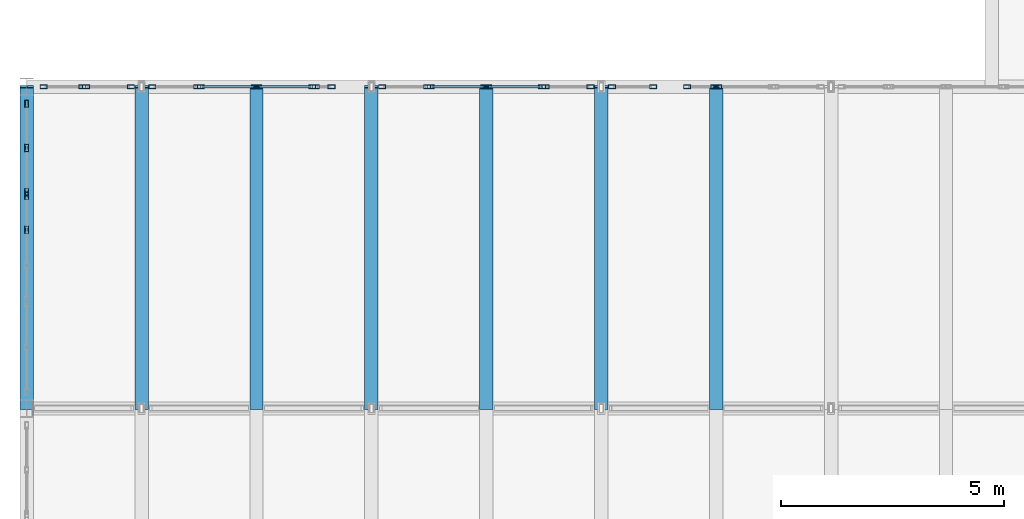
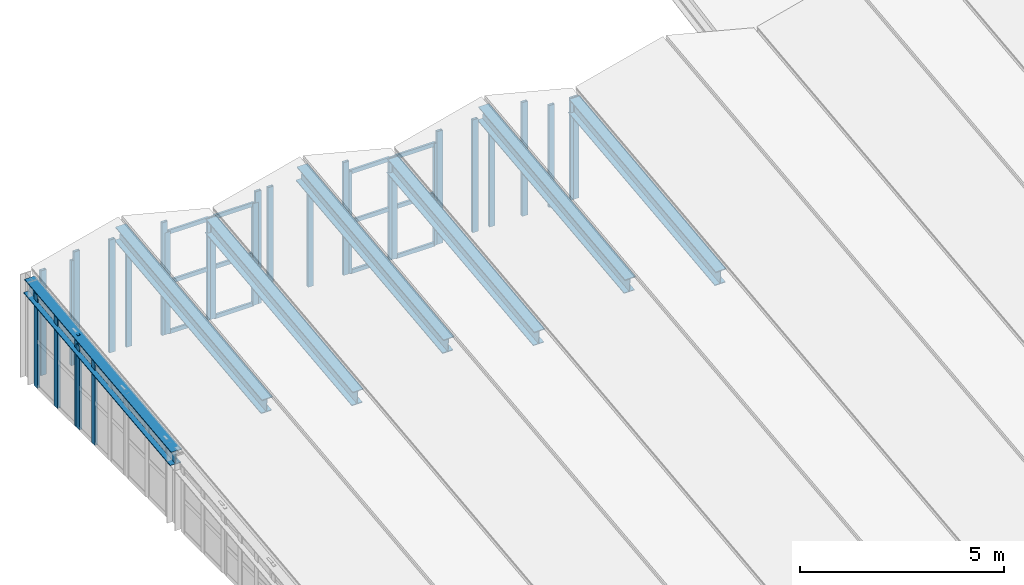
# One storey, part 5 of 39: 42 members, 7 beams, 15 elements without a shape of their own.
"""IFC4 building model written with IfcOpenShell, lengths in metres."""

from ifc_helpers import new_model, si_unit, direction, frame, origin, origin_2d, place, context, subcontext, project, spatial, hollow_rectangle, i_section, extrude, material, layer, layer_set, material_profile, profile_set, type_object, element, aggregate, save


model = new_model("IFC4")

# Units and contexts
model_context = context("Model", 3, precision=1e-05, world=origin(), true_north=direction((0.0, 1.0)))
body_context = subcontext(model_context, "Body", "Model", "MODEL_VIEW")
ifc_project = project(units=[si_unit("LENGTHUNIT", "METRE"), si_unit("AREAUNIT", "SQUARE_METRE"), si_unit("VOLUMEUNIT", "CUBIC_METRE"), si_unit("PLANEANGLEUNIT", "RADIAN"), si_unit("MASSUNIT", "GRAM", prefix="KILO"), si_unit("THERMODYNAMICTEMPERATUREUNIT", "KELVIN"), si_unit("POWERUNIT", "WATT")], contexts=[model_context])

# Site, building, storey
site_placement = place(None, origin())
site = spatial("IfcSite", under=ifc_project, at=site_placement, CompositionType="ELEMENT")
building_placement = place(site_placement, origin())
building = spatial("IfcBuilding", under=site, at=building_placement, Name="Kaldorven Railside Theatre", CompositionType="ELEMENT")
storey_placement = place(building_placement, frame((0.0, 0.0, 27.300048828125)))
storey = spatial("IfcBuildingStorey", under=building, at=storey_placement, Name="ROOF", CompositionType="ELEMENT", Elevation=27.300048828125)

# Beams
ifc_material_1 = material(Name="Steel S355", Category="steel")
ifc_material_profile_1 = material_profile(ifc_material_1, i_section(OverallWidth=0.300048828125, OverallDepth=0.449951171875, WebThickness=0.013916015625, FlangeThickness=0.02587890625, at=origin_2d()), Name="HEB 450")
ifc_profile_set_1 = profile_set([ifc_material_profile_1], Name="Steel S355")
beam_type = type_object("IfcBeamType", Name="BM-HEB450", PredefinedType="BEAM", material=ifc_profile_set_1)
for number, where, z_axis, x_axis, name in (
    (1, (87.199951171875, 105.60009765625, 2.025146484375), (0.0, 0.993579716392, 0.113134199846), (-1.0, 0.0, 0.0), "V2 Folded-Plate Valley Girder VB-102"),
    (2, (89.771484375, 105.60009765625, 2.68994140625), (0.0, 0.993575928723, 0.11316745938), (-1.0, 0.0, 0.0), "V2 Folded-Plate Ridge Girder RB-106"),
    (3, (92.343017578125, 105.60009765625, 2.025146484375), (0.0, 0.993579716392, 0.113134199846), (-1.0, 0.0, 0.0), "V2 Folded-Plate Valley Girder VB-110"),
    (4, (94.914306640625, 105.60009765625, 2.68994140625), (0.0, 0.993575928723, 0.11316745938), (-1.0, 0.0, 0.0), "V2 Folded-Plate Ridge Girder RB-114"),
    (5, (97.485595703125, 105.60009765625, 2.025146484375), (0.0, 0.993579716392, 0.113134199846), (-1.0, 0.0, 0.0), "V2 Folded-Plate Valley Girder VB-118"),
    (6, (100.05712890625, 105.60009765625, 2.68994140625), (0.0, 0.993575928723, 0.11316745938), (-1.0, 0.0, 0.0), "V2 Folded-Plate Ridge Girder RB-122"),
    (7, (102.628662109375, 105.60009765625, 2.025146484375), (0.0, 0.993579716392, 0.113134199846), (-1.0, 0.0, 0.0), "V2 Folded-Plate Valley Girder VB-126"),
):
    element("IfcBeam", number, at=place(storey_placement, frame(where, z_axis=z_axis, x_axis=x_axis)), inside=storey, type_object=beam_type, Name=name, PredefinedType="BEAM", context=body_context, shape_type="SweptSolid", body=[
        extrude(i_section(OverallWidth=0.300048828125, OverallDepth=0.449951171875, WebThickness=0.013916015625, FlangeThickness=0.02587890625, at=origin_2d()), origin(), (0.0, 0.0, 1.0), 7.24658203125),
    ])

# Curtain wall, members
ifc_material_2 = material(Name="Low-E laminated solar-control glass", Category="glass")
ifc_layer_1 = layer(ifc_material_2, 0.159912109375, Name="Low-E laminated solar-control glass")
ifc_layer_set_1 = layer_set([ifc_layer_1], Name="Low-E laminated solar-control glass")
curtain_wall_type_1 = type_object("IfcCurtainWallType", Name="CWT-47", PredefinedType="USERDEFINED", material=ifc_layer_set_1)
curtain_wall_1_placement = place(storey_placement, origin())
curtain_wall_1 = element("IfcCurtainWall", 8, at=curtain_wall_1_placement, inside=storey, type_object=curtain_wall_type_1, Name="Fly-Tower North Crown Clerestory CWG-063", ObjectType="FLUTED GLAZING", PredefinedType="USERDEFINED")
ifc_material_3 = material(Name="Anodised bronze aluminium", Category="aluminium")
ifc_material_profile_2 = material_profile(ifc_material_3, hollow_rectangle(XDim=0.080078125, YDim=0.159912109375, WallThickness=0.00634765625, at=origin_2d()), Name="RHS 160x80x6.3")
ifc_profile_set_2 = profile_set([ifc_material_profile_2], Name="Anodised bronze aluminium")
member_type_1 = type_object("IfcMemberType", Name="CWM-160", PredefinedType="MULLION", material=ifc_profile_set_2)
member_1_placement = place(storey_placement, frame((87.580078125, 112.800048828125, 0.02001953125), z_axis=(0.0, 0.0, 1.0), x_axis=(0.0, 1.0, 0.0)))
member_1 = element("IfcMember", 9, at=member_1_placement, type_object=member_type_1, Name="CWG-063 mullion 1", PredefinedType="MULLION", context=body_context, shape_type="SweptSolid", body=[
    extrude(hollow_rectangle(XDim=0.080078125, YDim=0.159912109375, WallThickness=0.00634765625, at=origin_2d()), origin(), (0.0, 0.0, 1.0), 3.139892578125),
])
member_2_placement = place(storey_placement, frame((88.44580078125, 112.800048828125, 0.02001953125), z_axis=(0.0, 0.0, 1.0), x_axis=(0.0, 1.0, 0.0)))
member_2 = element("IfcMember", 10, at=member_2_placement, type_object=member_type_1, Name="CWG-063 mullion 2", PredefinedType="MULLION", context=body_context, shape_type="SweptSolid", body=[
    extrude(hollow_rectangle(XDim=0.080078125, YDim=0.159912109375, WallThickness=0.00634765625, at=origin_2d()), origin(), (0.0, 0.0, 1.0), 3.139892578125),
])
aggregate(curtain_wall_1, [member_1, member_2])

ifc_layer_2 = layer(ifc_material_2, 0.159912109375, Name="Low-E laminated solar-control glass")
ifc_layer_set_2 = layer_set([ifc_layer_2], Name="Low-E laminated solar-control glass")
curtain_wall_type_2 = type_object("IfcCurtainWallType", Name="CWT-48", PredefinedType="USERDEFINED", material=ifc_layer_set_2)
curtain_wall_2_placement = place(storey_placement, origin())
curtain_wall_2 = element("IfcCurtainWall", 11, at=curtain_wall_2_placement, inside=storey, type_object=curtain_wall_type_2, Name="Fly-Tower North Crown Clerestory CWG-064", ObjectType="FLUTED GLAZING", PredefinedType="USERDEFINED")
member_3_placement = place(storey_placement, frame((88.525634765625, 112.800048828125, 0.02001953125), z_axis=(0.0, 0.0, 1.0), x_axis=(0.0, 1.0, 0.0)))
member_3 = element("IfcMember", 12, at=member_3_placement, type_object=member_type_1, Name="CWG-064 mullion 1", PredefinedType="MULLION", context=body_context, shape_type="SweptSolid", body=[
    extrude(hollow_rectangle(XDim=0.080078125, YDim=0.159912109375, WallThickness=0.00634765625, at=origin_2d()), origin(), (0.0, 0.0, 1.0), 3.3798828125),
])
member_4_placement = place(storey_placement, frame((89.531494140625, 112.800048828125, 0.02001953125), z_axis=(0.0, 0.0, 1.0), x_axis=(0.0, 1.0, 0.0)))
member_4 = element("IfcMember", 13, at=member_4_placement, type_object=member_type_1, Name="CWG-064 mullion 2", PredefinedType="MULLION", context=body_context, shape_type="SweptSolid", body=[
    extrude(hollow_rectangle(XDim=0.080078125, YDim=0.159912109375, WallThickness=0.00634765625, at=origin_2d()), origin(), (0.0, 0.0, 1.0), 3.3798828125),
])
aggregate(curtain_wall_2, [member_3, member_4])

curtain_wall_3_placement = place(storey_placement, origin())
curtain_wall_3 = element("IfcCurtainWall", 14, at=curtain_wall_3_placement, inside=storey, type_object=curtain_wall_type_2, Name="Fly-Tower North Crown Clerestory CWG-065", ObjectType="FLUTED GLAZING", PredefinedType="USERDEFINED")
member_5_placement = place(storey_placement, frame((90.011474609375, 112.800048828125, 0.02001953125), z_axis=(0.0, 0.0, 1.0), x_axis=(0.0, 1.0, 0.0)))
member_5 = element("IfcMember", 15, at=member_5_placement, type_object=member_type_1, Name="CWG-065 mullion 1", PredefinedType="MULLION", context=body_context, shape_type="SweptSolid", body=[
    extrude(hollow_rectangle(XDim=0.080078125, YDim=0.159912109375, WallThickness=0.00634765625, at=origin_2d()), origin(), (0.0, 0.0, 1.0), 3.3798828125),
])
member_6_placement = place(storey_placement, frame((91.01708984375, 112.800048828125, 0.02001953125), z_axis=(0.0, 0.0, 1.0), x_axis=(0.0, 1.0, 0.0)))
member_6 = element("IfcMember", 16, at=member_6_placement, type_object=member_type_1, Name="CWG-065 mullion 2", PredefinedType="MULLION", context=body_context, shape_type="SweptSolid", body=[
    extrude(hollow_rectangle(XDim=0.080078125, YDim=0.159912109375, WallThickness=0.00634765625, at=origin_2d()), origin(), (0.0, 0.0, 1.0), 3.3798828125),
])
aggregate(curtain_wall_3, [member_5, member_6])

ifc_layer_3 = layer(ifc_material_2, 0.159912109375, Name="Low-E laminated solar-control glass")
ifc_layer_set_3 = layer_set([ifc_layer_3], Name="Low-E laminated solar-control glass")
curtain_wall_type_3 = type_object("IfcCurtainWallType", Name="CWT-49", PredefinedType="USERDEFINED", material=ifc_layer_set_3)
curtain_wall_4_placement = place(storey_placement, origin())
curtain_wall_4 = element("IfcCurtainWall", 17, at=curtain_wall_4_placement, inside=storey, type_object=curtain_wall_type_3, Name="Fly-Tower North Crown Clerestory CWG-066", ObjectType="FLUTED GLAZING", PredefinedType="USERDEFINED")
member_7_placement = place(storey_placement, frame((91.09716796875, 112.800048828125, 0.02001953125), z_axis=(0.0, 0.0, 1.0), x_axis=(0.0, 1.0, 0.0)))
member_7 = element("IfcMember", 18, at=member_7_placement, type_object=member_type_1, Name="CWG-066 mullion 1", PredefinedType="MULLION", context=body_context, shape_type="SweptSolid", body=[
    extrude(hollow_rectangle(XDim=0.080078125, YDim=0.159912109375, WallThickness=0.00634765625, at=origin_2d()), origin(), (0.0, 0.0, 1.0), 3.050048828125),
])
member_8_placement = place(storey_placement, frame((92.302978515625, 112.800048828125, 0.02001953125), z_axis=(0.0, 0.0, 1.0), x_axis=(0.0, 1.0, 0.0)))
member_8 = element("IfcMember", 19, at=member_8_placement, type_object=member_type_1, Name="CWG-066 mullion 2", PredefinedType="MULLION", context=body_context, shape_type="SweptSolid", body=[
    extrude(hollow_rectangle(XDim=0.080078125, YDim=0.159912109375, WallThickness=0.00634765625, at=origin_2d()), origin(), (0.0, 0.0, 1.0), 3.050048828125),
])

curtain_wall_5_placement = place(storey_placement, origin())
curtain_wall_5 = element("IfcCurtainWall", 20, at=curtain_wall_5_placement, inside=storey, type_object=curtain_wall_type_3, Name="Fly-Tower North Crown Clerestory CWG-067", ObjectType="FLUTED GLAZING", PredefinedType="USERDEFINED")
member_9_placement = place(storey_placement, frame((92.3828125, 112.800048828125, 0.02001953125), z_axis=(0.0, 0.0, 1.0), x_axis=(0.0, 1.0, 0.0)))
member_9 = element("IfcMember", 21, at=member_9_placement, type_object=member_type_1, Name="CWG-067 mullion 1", PredefinedType="MULLION", context=body_context, shape_type="SweptSolid", body=[
    extrude(hollow_rectangle(XDim=0.080078125, YDim=0.159912109375, WallThickness=0.00634765625, at=origin_2d()), origin(), (0.0, 0.0, 1.0), 3.050048828125),
])
member_10_placement = place(storey_placement, frame((93.588623046875, 112.800048828125, 0.02001953125), z_axis=(0.0, 0.0, 1.0), x_axis=(0.0, 1.0, 0.0)))
member_10 = element("IfcMember", 22, at=member_10_placement, type_object=member_type_1, Name="CWG-067 mullion 2", PredefinedType="MULLION", context=body_context, shape_type="SweptSolid", body=[
    extrude(hollow_rectangle(XDim=0.080078125, YDim=0.159912109375, WallThickness=0.00634765625, at=origin_2d()), origin(), (0.0, 0.0, 1.0), 3.050048828125),
])

ifc_layer_4 = layer(ifc_material_2, 0.159912109375, Name="Low-E laminated solar-control glass")
ifc_layer_set_4 = layer_set([ifc_layer_4], Name="Low-E laminated solar-control glass")
curtain_wall_type_4 = type_object("IfcCurtainWallType", Name="CWT-50", PredefinedType="USERDEFINED", material=ifc_layer_set_4)
curtain_wall_6_placement = place(storey_placement, origin())
curtain_wall_6 = element("IfcCurtainWall", 23, at=curtain_wall_6_placement, inside=storey, type_object=curtain_wall_type_4, Name="Fly-Tower North Crown Clerestory CWG-068", ObjectType="FLUTED GLAZING", PredefinedType="USERDEFINED")
member_11_placement = place(storey_placement, frame((93.668701171875, 112.800048828125, 0.02001953125), z_axis=(0.0, 0.0, 1.0), x_axis=(0.0, 1.0, 0.0)))
member_11 = element("IfcMember", 24, at=member_11_placement, type_object=member_type_1, Name="CWG-068 mullion 1", PredefinedType="MULLION", context=body_context, shape_type="SweptSolid", body=[
    extrude(hollow_rectangle(XDim=0.080078125, YDim=0.159912109375, WallThickness=0.00634765625, at=origin_2d()), origin(), (0.0, 0.0, 1.0), 3.3798828125),
])
member_12_placement = place(storey_placement, frame((94.02001953125, 112.800048828125, 0.02001953125), z_axis=(0.0, 0.0, 1.0), x_axis=(0.0, 1.0, 0.0)))
member_12 = element("IfcMember", 25, at=member_12_placement, type_object=member_type_1, Name="CWG-068 mullion 2", PredefinedType="MULLION", context=body_context, shape_type="SweptSolid", body=[
    extrude(hollow_rectangle(XDim=0.080078125, YDim=0.159912109375, WallThickness=0.00634765625, at=origin_2d()), origin(), (0.0, 0.0, 1.0), 3.3798828125),
])
aggregate(curtain_wall_6, [member_11, member_12])

curtain_wall_7_placement = place(storey_placement, origin())
curtain_wall_7 = element("IfcCurtainWall", 26, at=curtain_wall_7_placement, inside=storey, type_object=curtain_wall_type_2, Name="Fly-Tower North Crown Clerestory CWG-069", ObjectType="FLUTED GLAZING", PredefinedType="USERDEFINED")
member_13_placement = place(storey_placement, frame((95.154296875, 112.800048828125, 0.02001953125), z_axis=(0.0, 0.0, 1.0), x_axis=(0.0, 1.0, 0.0)))
member_13 = element("IfcMember", 27, at=member_13_placement, type_object=member_type_1, Name="CWG-069 mullion 1", PredefinedType="MULLION", context=body_context, shape_type="SweptSolid", body=[
    extrude(hollow_rectangle(XDim=0.080078125, YDim=0.159912109375, WallThickness=0.00634765625, at=origin_2d()), origin(), (0.0, 0.0, 1.0), 3.3798828125),
])
member_14_placement = place(storey_placement, frame((96.159912109375, 112.800048828125, 0.02001953125), z_axis=(0.0, 0.0, 1.0), x_axis=(0.0, 1.0, 0.0)))
member_14 = element("IfcMember", 28, at=member_14_placement, type_object=member_type_1, Name="CWG-069 mullion 2", PredefinedType="MULLION", context=body_context, shape_type="SweptSolid", body=[
    extrude(hollow_rectangle(XDim=0.080078125, YDim=0.159912109375, WallThickness=0.00634765625, at=origin_2d()), origin(), (0.0, 0.0, 1.0), 3.3798828125),
])
aggregate(curtain_wall_7, [member_13, member_14])

curtain_wall_8_placement = place(storey_placement, origin())
curtain_wall_8 = element("IfcCurtainWall", 29, at=curtain_wall_8_placement, inside=storey, type_object=curtain_wall_type_3, Name="Fly-Tower North Crown Clerestory CWG-070", ObjectType="FLUTED GLAZING", PredefinedType="USERDEFINED")
member_15_placement = place(storey_placement, frame((96.239990234375, 112.800048828125, 0.02001953125), z_axis=(0.0, 0.0, 1.0), x_axis=(0.0, 1.0, 0.0)))
member_15 = element("IfcMember", 30, at=member_15_placement, type_object=member_type_1, Name="CWG-070 mullion 1", PredefinedType="MULLION", context=body_context, shape_type="SweptSolid", body=[
    extrude(hollow_rectangle(XDim=0.080078125, YDim=0.159912109375, WallThickness=0.00634765625, at=origin_2d()), origin(), (0.0, 0.0, 1.0), 3.050048828125),
])
member_16_placement = place(storey_placement, frame((97.44580078125, 112.800048828125, 0.02001953125), z_axis=(0.0, 0.0, 1.0), x_axis=(0.0, 1.0, 0.0)))
member_16 = element("IfcMember", 31, at=member_16_placement, type_object=member_type_1, Name="CWG-070 mullion 2", PredefinedType="MULLION", context=body_context, shape_type="SweptSolid", body=[
    extrude(hollow_rectangle(XDim=0.080078125, YDim=0.159912109375, WallThickness=0.00634765625, at=origin_2d()), origin(), (0.0, 0.0, 1.0), 3.050048828125),
])

curtain_wall_9_placement = place(storey_placement, origin())
curtain_wall_9 = element("IfcCurtainWall", 32, at=curtain_wall_9_placement, inside=storey, type_object=curtain_wall_type_3, Name="Fly-Tower North Crown Clerestory CWG-071", ObjectType="FLUTED GLAZING", PredefinedType="USERDEFINED")
member_17_placement = place(storey_placement, frame((97.525634765625, 112.800048828125, 0.02001953125), z_axis=(0.0, 0.0, 1.0), x_axis=(0.0, 1.0, 0.0)))
member_17 = element("IfcMember", 33, at=member_17_placement, type_object=member_type_1, Name="CWG-071 mullion 1", PredefinedType="MULLION", context=body_context, shape_type="SweptSolid", body=[
    extrude(hollow_rectangle(XDim=0.080078125, YDim=0.159912109375, WallThickness=0.00634765625, at=origin_2d()), origin(), (0.0, 0.0, 1.0), 3.050048828125),
])
member_18_placement = place(storey_placement, frame((98.7314453125, 112.800048828125, 0.02001953125), z_axis=(0.0, 0.0, 1.0), x_axis=(0.0, 1.0, 0.0)))
member_18 = element("IfcMember", 34, at=member_18_placement, type_object=member_type_1, Name="CWG-071 mullion 2", PredefinedType="MULLION", context=body_context, shape_type="SweptSolid", body=[
    extrude(hollow_rectangle(XDim=0.080078125, YDim=0.159912109375, WallThickness=0.00634765625, at=origin_2d()), origin(), (0.0, 0.0, 1.0), 3.050048828125),
])

curtain_wall_10_placement = place(storey_placement, origin())
curtain_wall_10 = element("IfcCurtainWall", 35, at=curtain_wall_10_placement, inside=storey, type_object=curtain_wall_type_2, Name="Fly-Tower North Crown Clerestory CWG-072", ObjectType="FLUTED GLAZING", PredefinedType="USERDEFINED")
member_19_placement = place(storey_placement, frame((98.811279296875, 112.800048828125, 0.02001953125), z_axis=(0.0, 0.0, 1.0), x_axis=(0.0, 1.0, 0.0)))
member_19 = element("IfcMember", 36, at=member_19_placement, type_object=member_type_1, Name="CWG-072 mullion 1", PredefinedType="MULLION", context=body_context, shape_type="SweptSolid", body=[
    extrude(hollow_rectangle(XDim=0.080078125, YDim=0.159912109375, WallThickness=0.00634765625, at=origin_2d()), origin(), (0.0, 0.0, 1.0), 3.3798828125),
])
member_20_placement = place(storey_placement, frame((99.817138671875, 112.800048828125, 0.02001953125), z_axis=(0.0, 0.0, 1.0), x_axis=(0.0, 1.0, 0.0)))
member_20 = element("IfcMember", 37, at=member_20_placement, type_object=member_type_1, Name="CWG-072 mullion 2", PredefinedType="MULLION", context=body_context, shape_type="SweptSolid", body=[
    extrude(hollow_rectangle(XDim=0.080078125, YDim=0.159912109375, WallThickness=0.00634765625, at=origin_2d()), origin(), (0.0, 0.0, 1.0), 3.3798828125),
])
aggregate(curtain_wall_10, [member_19, member_20])

ifc_layer_5 = layer(ifc_material_2, 0.159912109375, Name="Low-E laminated solar-control glass")
ifc_layer_set_5 = layer_set([ifc_layer_5], Name="Low-E laminated solar-control glass")
curtain_wall_type_5 = type_object("IfcCurtainWallType", Name="CWT-51", PredefinedType="USERDEFINED", material=ifc_layer_set_5)
curtain_wall_11_placement = place(storey_placement, origin())
curtain_wall_11 = element("IfcCurtainWall", 38, at=curtain_wall_11_placement, inside=storey, type_object=curtain_wall_type_5, Name="Fly-Tower North Crown Clerestory CWG-073", ObjectType="FLUTED GLAZING", PredefinedType="USERDEFINED")
member_21_placement = place(storey_placement, frame((100.297119140625, 112.800048828125, 0.02001953125), z_axis=(0.0, 0.0, 1.0), x_axis=(0.0, 1.0, 0.0)))
member_21 = element("IfcMember", 39, at=member_21_placement, type_object=member_type_1, Name="CWG-073 mullion 1", PredefinedType="MULLION", context=body_context, shape_type="SweptSolid", body=[
    extrude(hollow_rectangle(XDim=0.080078125, YDim=0.159912109375, WallThickness=0.00634765625, at=origin_2d()), origin(), (0.0, 0.0, 1.0), 3.409912109375),
])
member_22_placement = place(storey_placement, frame((101.219970703125, 112.800048828125, 0.02001953125), z_axis=(0.0, 0.0, 1.0), x_axis=(0.0, 1.0, 0.0)))
member_22 = element("IfcMember", 40, at=member_22_placement, type_object=member_type_1, Name="CWG-073 mullion 2", PredefinedType="MULLION", context=body_context, shape_type="SweptSolid", body=[
    extrude(hollow_rectangle(XDim=0.080078125, YDim=0.159912109375, WallThickness=0.00634765625, at=origin_2d()), origin(), (0.0, 0.0, 1.0), 3.409912109375),
])
aggregate(curtain_wall_11, [member_21, member_22])

ifc_layer_6 = layer(ifc_material_2, 0.159912109375, Name="Low-E laminated solar-control glass")
ifc_layer_set_6 = layer_set([ifc_layer_6], Name="Low-E laminated solar-control glass")
curtain_wall_type_6 = type_object("IfcCurtainWallType", Name="CWT-52", PredefinedType="USERDEFINED", material=ifc_layer_set_6)
curtain_wall_12_placement = place(storey_placement, origin())
curtain_wall_12 = element("IfcCurtainWall", 41, at=curtain_wall_12_placement, inside=storey, type_object=curtain_wall_type_6, Name="Fly-Tower North Crown Clerestory CWG-074", ObjectType="FLUTED GLAZING", PredefinedType="USERDEFINED")
member_23_placement = place(storey_placement, frame((101.97998046875, 112.800048828125, 0.02001953125), z_axis=(0.0, 0.0, 1.0), x_axis=(0.0, 1.0, 0.0)))
member_23 = element("IfcMember", 42, at=member_23_placement, type_object=member_type_1, Name="CWG-074 mullion 1", PredefinedType="MULLION", context=body_context, shape_type="SweptSolid", body=[
    extrude(hollow_rectangle(XDim=0.080078125, YDim=0.159912109375, WallThickness=0.00634765625, at=origin_2d()), origin(), (0.0, 0.0, 1.0), 3.050048828125),
])
member_24_placement = place(storey_placement, frame((102.588623046875, 112.800048828125, 0.02001953125), z_axis=(0.0, 0.0, 1.0), x_axis=(0.0, 1.0, 0.0)))
member_24 = element("IfcMember", 43, at=member_24_placement, type_object=member_type_1, Name="CWG-074 mullion 2", PredefinedType="MULLION", context=body_context, shape_type="SweptSolid", body=[
    extrude(hollow_rectangle(XDim=0.080078125, YDim=0.159912109375, WallThickness=0.00634765625, at=origin_2d()), origin(), (0.0, 0.0, 1.0), 3.050048828125),
])
aggregate(curtain_wall_12, [member_23, member_24])

# Curtain wall, member
curtain_wall_13_placement = place(storey_placement, origin())
curtain_wall_13 = element("IfcCurtainWall", 44, at=curtain_wall_13_placement, inside=storey, type_object=curtain_wall_type_3, Name="Fly-Tower North Crown Clerestory CWG-075", ObjectType="FLUTED GLAZING", PredefinedType="USERDEFINED")
member_25_placement = place(storey_placement, frame((102.668701171875, 112.800048828125, 0.02001953125), z_axis=(0.0, 0.0, 1.0), x_axis=(0.0, 1.0, 0.0)))
member_25 = element("IfcMember", 45, at=member_25_placement, type_object=member_type_1, Name="CWG-075 mullion 1", PredefinedType="MULLION", context=body_context, shape_type="SweptSolid", body=[
    extrude(hollow_rectangle(XDim=0.080078125, YDim=0.159912109375, WallThickness=0.00634765625, at=origin_2d()), origin(), (0.0, 0.0, 1.0), 3.050048828125),
])
aggregate(curtain_wall_13, [member_25])

# Curtain wall, members
ifc_layer_7 = layer(ifc_material_2, 0.159912109375, Name="Low-E laminated solar-control glass")
ifc_layer_set_7 = layer_set([ifc_layer_7], Name="Low-E laminated solar-control glass")
curtain_wall_type_7 = type_object("IfcCurtainWallType", Name="CWT-33", PredefinedType="USERDEFINED", material=ifc_layer_set_7)
curtain_wall_14_placement = place(storey_placement, origin())
curtain_wall_14 = element("IfcCurtainWall", 46, at=curtain_wall_14_placement, inside=storey, type_object=curtain_wall_type_7, Name="Fly-Tower West Crown Clerestory CWG-099", ObjectType="FLUTED GLAZING", PredefinedType="USERDEFINED")
member_26_placement = place(storey_placement, frame((87.199951171875, 109.60009765625, 0.02001953125), z_axis=(0.0, 0.0, 1.0), x_axis=(-1.0, 0.0, 0.0)))
member_26 = element("IfcMember", 47, at=member_26_placement, type_object=member_type_1, Name="CWG-099 mullion 3", PredefinedType="MULLION", context=body_context, shape_type="SweptSolid", body=[
    extrude(hollow_rectangle(XDim=0.080078125, YDim=0.159912109375, WallThickness=0.00634765625, at=origin_2d()), origin(), (0.0, 0.0, 1.0), 2.510009765625),
])
member_27_placement = place(storey_placement, frame((87.199951171875, 110.360107421875, 0.02001953125), z_axis=(0.0, 0.0, 1.0), x_axis=(-1.0, 0.0, 0.0)))
member_27 = element("IfcMember", 48, at=member_27_placement, type_object=member_type_1, Name="CWG-099 mullion 4", PredefinedType="MULLION", context=body_context, shape_type="SweptSolid", body=[
    extrude(hollow_rectangle(XDim=0.080078125, YDim=0.159912109375, WallThickness=0.00634765625, at=origin_2d()), origin(), (0.0, 0.0, 1.0), 2.510009765625),
])
aggregate(curtain_wall_14, [member_26, member_27])

ifc_layer_8 = layer(ifc_material_2, 0.159912109375, Name="Low-E laminated solar-control glass")
ifc_layer_set_8 = layer_set([ifc_layer_8], Name="Low-E laminated solar-control glass")
curtain_wall_type_8 = type_object("IfcCurtainWallType", Name="CWT-59", PredefinedType="USERDEFINED", material=ifc_layer_set_8)
curtain_wall_15_placement = place(storey_placement, origin())
curtain_wall_15 = element("IfcCurtainWall", 49, at=curtain_wall_15_placement, inside=storey, type_object=curtain_wall_type_8, Name="Fly-Tower West Crown Clerestory CWG-100", ObjectType="FLUTED GLAZING", PredefinedType="USERDEFINED")
member_28_placement = place(storey_placement, frame((87.199951171875, 110.43994140625, 0.02001953125), z_axis=(0.0, 0.0, 1.0), x_axis=(-1.0, 0.0, 0.0)))
member_28 = element("IfcMember", 50, at=member_28_placement, type_object=member_type_1, Name="CWG-100 mullion 1", PredefinedType="MULLION", context=body_context, shape_type="SweptSolid", body=[
    extrude(hollow_rectangle(XDim=0.080078125, YDim=0.159912109375, WallThickness=0.00634765625, at=origin_2d()), origin(), (0.0, 0.0, 1.0), 2.780029296875),
])
member_29_placement = place(storey_placement, frame((87.199951171875, 111.429931640625, 0.02001953125), z_axis=(0.0, 0.0, 1.0), x_axis=(-1.0, 0.0, 0.0)))
member_29 = element("IfcMember", 51, at=member_29_placement, type_object=member_type_1, Name="CWG-100 mullion 2", PredefinedType="MULLION", context=body_context, shape_type="SweptSolid", body=[
    extrude(hollow_rectangle(XDim=0.080078125, YDim=0.159912109375, WallThickness=0.00634765625, at=origin_2d()), origin(), (0.0, 0.0, 1.0), 2.780029296875),
])
member_30_placement = place(storey_placement, frame((87.199951171875, 112.419921875, 0.02001953125), z_axis=(0.0, 0.0, 1.0), x_axis=(-1.0, 0.0, 0.0)))
member_30 = element("IfcMember", 52, at=member_30_placement, type_object=member_type_1, Name="CWG-100 mullion 3", PredefinedType="MULLION", context=body_context, shape_type="SweptSolid", body=[
    extrude(hollow_rectangle(XDim=0.080078125, YDim=0.159912109375, WallThickness=0.00634765625, at=origin_2d()), origin(), (0.0, 0.0, 1.0), 2.780029296875),
])
aggregate(curtain_wall_15, [member_28, member_29, member_30])

# Member
ifc_material_profile_3 = material_profile(ifc_material_3, hollow_rectangle(XDim=0.06005859375, YDim=0.1201171875, WallThickness=0.0048828125, at=origin_2d()), Name="RHS 120x60x5")
ifc_profile_set_3 = profile_set([ifc_material_profile_3], Name="Anodised bronze aluminium")
member_type_2 = type_object("IfcMemberType", Name="CWT-120", PredefinedType="USERDEFINED", material=ifc_profile_set_3)
member_31_placement = place(storey_placement, frame((91.13720703125, 112.800048828125, 0.050048828125), z_axis=(1.0, 0.0, 0.0), x_axis=(0.0, 1.0, 0.0)))
member_31 = element("IfcMember", 53, at=member_31_placement, type_object=member_type_2, Name="CWG-066 transom 1.1", ObjectType="TRANSOM", PredefinedType="USERDEFINED", context=body_context, shape_type="SweptSolid", body=[
    extrude(hollow_rectangle(XDim=0.06005859375, YDim=0.1201171875, WallThickness=0.0048828125, at=origin_2d()), origin(), (0.0, 0.0, 1.0), 1.125732421875),
])

member_32_placement = place(storey_placement, frame((91.13720703125, 112.800048828125, 1.544921875), z_axis=(1.0, 0.0, 0.0), x_axis=(0.0, 1.0, 0.0)))
member_32 = element("IfcMember", 54, at=member_32_placement, type_object=member_type_2, Name="CWG-066 transom 1.2", ObjectType="TRANSOM", PredefinedType="USERDEFINED", context=body_context, shape_type="SweptSolid", body=[
    extrude(hollow_rectangle(XDim=0.06005859375, YDim=0.1201171875, WallThickness=0.0048828125, at=origin_2d()), origin(), (0.0, 0.0, 1.0), 1.125732421875),
])

member_33_placement = place(storey_placement, frame((91.13720703125, 112.800048828125, 3.0400390625), z_axis=(1.0, 0.0, 0.0), x_axis=(0.0, 1.0, 0.0)))
member_33 = element("IfcMember", 55, at=member_33_placement, type_object=member_type_2, Name="CWG-066 transom 1.3", ObjectType="TRANSOM", PredefinedType="USERDEFINED", context=body_context, shape_type="SweptSolid", body=[
    extrude(hollow_rectangle(XDim=0.06005859375, YDim=0.1201171875, WallThickness=0.0048828125, at=origin_2d()), origin(), (0.0, 0.0, 1.0), 1.125732421875),
])

aggregate(curtain_wall_4, [member_7, member_8, member_31, member_32, member_33])

member_34_placement = place(storey_placement, frame((92.4228515625, 112.800048828125, 0.050048828125), z_axis=(1.0, 0.0, 0.0), x_axis=(0.0, 1.0, 0.0)))
member_34 = element("IfcMember", 56, at=member_34_placement, type_object=member_type_2, Name="CWG-067 transom 1.1", ObjectType="TRANSOM", PredefinedType="USERDEFINED", context=body_context, shape_type="SweptSolid", body=[
    extrude(hollow_rectangle(XDim=0.06005859375, YDim=0.1201171875, WallThickness=0.0048828125, at=origin_2d()), origin(), (0.0, 0.0, 1.0), 1.125732421875),
])

member_35_placement = place(storey_placement, frame((92.4228515625, 112.800048828125, 1.544921875), z_axis=(1.0, 0.0, 0.0), x_axis=(0.0, 1.0, 0.0)))
member_35 = element("IfcMember", 57, at=member_35_placement, type_object=member_type_2, Name="CWG-067 transom 1.2", ObjectType="TRANSOM", PredefinedType="USERDEFINED", context=body_context, shape_type="SweptSolid", body=[
    extrude(hollow_rectangle(XDim=0.06005859375, YDim=0.1201171875, WallThickness=0.0048828125, at=origin_2d()), origin(), (0.0, 0.0, 1.0), 1.125732421875),
])

member_36_placement = place(storey_placement, frame((92.4228515625, 112.800048828125, 3.0400390625), z_axis=(1.0, 0.0, 0.0), x_axis=(0.0, 1.0, 0.0)))
member_36 = element("IfcMember", 58, at=member_36_placement, type_object=member_type_2, Name="CWG-067 transom 1.3", ObjectType="TRANSOM", PredefinedType="USERDEFINED", context=body_context, shape_type="SweptSolid", body=[
    extrude(hollow_rectangle(XDim=0.06005859375, YDim=0.1201171875, WallThickness=0.0048828125, at=origin_2d()), origin(), (0.0, 0.0, 1.0), 1.125732421875),
])

aggregate(curtain_wall_5, [member_9, member_10, member_34, member_35, member_36])

member_37_placement = place(storey_placement, frame((96.280029296875, 112.800048828125, 0.050048828125), z_axis=(1.0, 0.0, 0.0), x_axis=(0.0, 1.0, 0.0)))
member_37 = element("IfcMember", 59, at=member_37_placement, type_object=member_type_2, Name="CWG-070 transom 1.1", ObjectType="TRANSOM", PredefinedType="USERDEFINED", context=body_context, shape_type="SweptSolid", body=[
    extrude(hollow_rectangle(XDim=0.06005859375, YDim=0.1201171875, WallThickness=0.0048828125, at=origin_2d()), origin(), (0.0, 0.0, 1.0), 1.125732421875),
])

member_38_placement = place(storey_placement, frame((96.280029296875, 112.800048828125, 1.544921875), z_axis=(1.0, 0.0, 0.0), x_axis=(0.0, 1.0, 0.0)))
member_38 = element("IfcMember", 60, at=member_38_placement, type_object=member_type_2, Name="CWG-070 transom 1.2", ObjectType="TRANSOM", PredefinedType="USERDEFINED", context=body_context, shape_type="SweptSolid", body=[
    extrude(hollow_rectangle(XDim=0.06005859375, YDim=0.1201171875, WallThickness=0.0048828125, at=origin_2d()), origin(), (0.0, 0.0, 1.0), 1.125732421875),
])

member_39_placement = place(storey_placement, frame((96.280029296875, 112.800048828125, 3.0400390625), z_axis=(1.0, 0.0, 0.0), x_axis=(0.0, 1.0, 0.0)))
member_39 = element("IfcMember", 61, at=member_39_placement, type_object=member_type_2, Name="CWG-070 transom 1.3", ObjectType="TRANSOM", PredefinedType="USERDEFINED", context=body_context, shape_type="SweptSolid", body=[
    extrude(hollow_rectangle(XDim=0.06005859375, YDim=0.1201171875, WallThickness=0.0048828125, at=origin_2d()), origin(), (0.0, 0.0, 1.0), 1.125732421875),
])

aggregate(curtain_wall_8, [member_15, member_16, member_37, member_38, member_39])

member_40_placement = place(storey_placement, frame((97.565673828125, 112.800048828125, 0.050048828125), z_axis=(1.0, 0.0, 0.0), x_axis=(0.0, 1.0, 0.0)))
member_40 = element("IfcMember", 62, at=member_40_placement, type_object=member_type_2, Name="CWG-071 transom 1.1", ObjectType="TRANSOM", PredefinedType="USERDEFINED", context=body_context, shape_type="SweptSolid", body=[
    extrude(hollow_rectangle(XDim=0.06005859375, YDim=0.1201171875, WallThickness=0.0048828125, at=origin_2d()), origin(), (0.0, 0.0, 1.0), 1.125732421875),
])

member_41_placement = place(storey_placement, frame((97.565673828125, 112.800048828125, 1.544921875), z_axis=(1.0, 0.0, 0.0), x_axis=(0.0, 1.0, 0.0)))
member_41 = element("IfcMember", 63, at=member_41_placement, type_object=member_type_2, Name="CWG-071 transom 1.2", ObjectType="TRANSOM", PredefinedType="USERDEFINED", context=body_context, shape_type="SweptSolid", body=[
    extrude(hollow_rectangle(XDim=0.06005859375, YDim=0.1201171875, WallThickness=0.0048828125, at=origin_2d()), origin(), (0.0, 0.0, 1.0), 1.125732421875),
])

member_42_placement = place(storey_placement, frame((97.565673828125, 112.800048828125, 3.0400390625), z_axis=(1.0, 0.0, 0.0), x_axis=(0.0, 1.0, 0.0)))
member_42 = element("IfcMember", 64, at=member_42_placement, type_object=member_type_2, Name="CWG-071 transom 1.3", ObjectType="TRANSOM", PredefinedType="USERDEFINED", context=body_context, shape_type="SweptSolid", body=[
    extrude(hollow_rectangle(XDim=0.06005859375, YDim=0.1201171875, WallThickness=0.0048828125, at=origin_2d()), origin(), (0.0, 0.0, 1.0), 1.125732421875),
])

aggregate(curtain_wall_9, [member_17, member_18, member_40, member_41, member_42])

save(model, "model.ifc")
